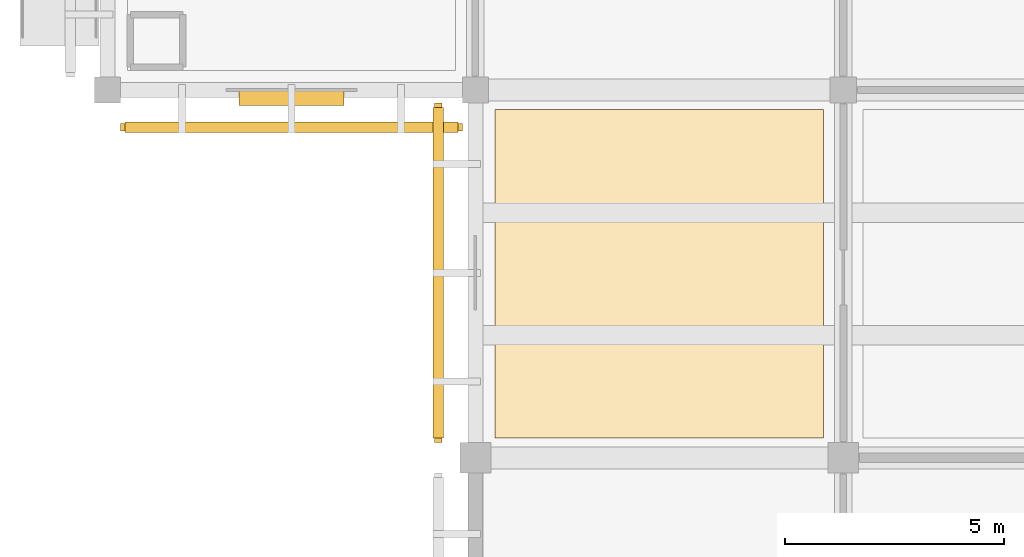
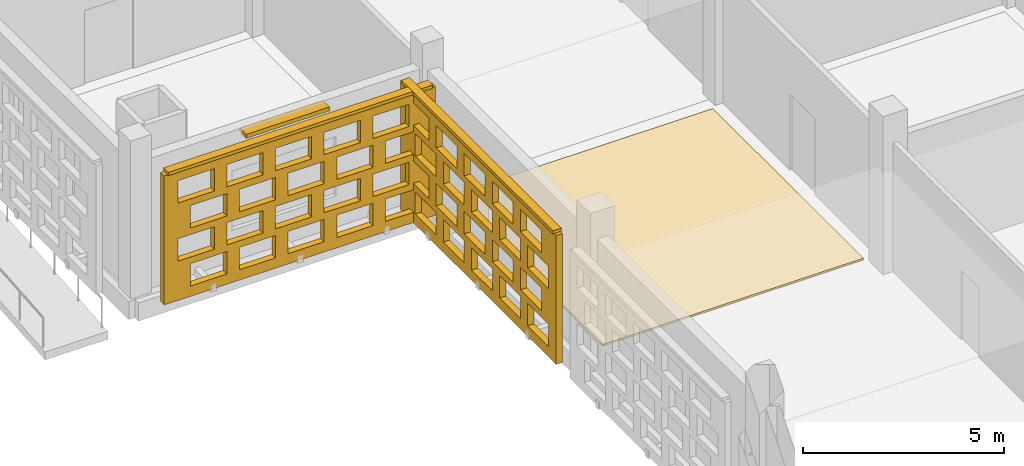
# One storey, part 85 of 129: 3 coverings, 3 shading devices, 40 openings.
"""IFC4 building model written with IfcOpenShell, lengths in metres."""

from ifc_helpers import new_model, si_unit, direction, frame, frame_2d, origin, origin_2d, place, context, subcontext, project, spatial, rectangle, extrude, material, layer, layer_set, type_object, element, save


model = new_model("IFC4")

# Units and contexts
model_context = context("Model", 3, precision=1e-05, world=origin(), true_north=direction((0.0, 1.0)))
body_context = subcontext(model_context, "Body", "Model", "MODEL_VIEW")
ifc_project = project(units=[si_unit("LENGTHUNIT", "METRE"), si_unit("AREAUNIT", "SQUARE_METRE"), si_unit("VOLUMEUNIT", "CUBIC_METRE"), si_unit("PLANEANGLEUNIT", "RADIAN"), si_unit("MASSUNIT", "GRAM", prefix="KILO")], contexts=[model_context])

# Site, building, storey
site_placement = place(None, origin())
site = spatial("IfcSite", under=ifc_project, at=site_placement, CompositionType="ELEMENT")
building_placement = place(site_placement, origin())
building = spatial("IfcBuilding", under=site, at=building_placement, Name="Varnapada Polytechnic", CompositionType="ELEMENT")
storey_placement = place(building_placement, origin())
storey = spatial("IfcBuildingStorey", under=building, at=storey_placement, Name="L00", CompositionType="ELEMENT", Elevation=0.0)

# Covering
ifc_material_1 = material(Name="End-Grain Timber Studio Block Flooring", Category="wood")
ifc_layer_1 = layer(ifc_material_1, 0.054931640625)
ifc_layer_set_1 = layer_set([ifc_layer_1], Name="End-Grain Timber Studio Block Flooring")
covering_type_1 = type_object("IfcCoveringType", Name="Floor Finish FLR-04", PredefinedType="FLOORING", material=ifc_layer_set_1)
covering_1_placement = place(storey_placement, frame((12.60009765625, 37.800048828125, 0.0), z_axis=(0.0, 0.0, 1.0), x_axis=(1.0, 0.0, 0.0)))
element("IfcCovering", 1, at=covering_1_placement, inside=storey, type_object=covering_type_1, Name="L00 floor finish panel (2,5)", PredefinedType="FLOORING", context=body_context, shape_type="SweptSolid", body=[
    extrude(rectangle(XDim=7.5, YDim=7.5, at=origin_2d()), origin(), (0.0, 0.0, 1.0), 0.054931640625),
])

# Shading device
ifc_material_2 = material(Name="Anodised aluminium", Category="aluminium")
ifc_layer_2 = layer(ifc_material_2, 0.35009765625)
ifc_layer_set_2 = layer_set([ifc_layer_2], Name="Anodised aluminium")
shading_device_type_1 = type_object("IfcShadingDeviceType", Name="Solar Louvre LVR-01", PredefinedType="JALOUSIE", material=ifc_layer_set_2)
shading_device_1_placement = place(storey_placement, frame((4.199951171875, 41.820068359375, 3.760009765625), z_axis=(0.0, 0.0, 1.0), x_axis=(-1.0, 0.0, 0.0)))
element("IfcShadingDevice", 2, at=shading_device_1_placement, inside=storey, type_object=shading_device_type_1, Name="L00 aluminium sun louvre 1", PredefinedType="JALOUSIE", context=body_context, shape_type="SweptSolid", body=[
    extrude(rectangle(XDim=2.39990234375, YDim=0.340087890625, at=origin_2d()), origin(), (0.0, 0.0, 1.0), 0.1201171875),
])

# Covering, openings
ifc_material_3 = material(Name="Earth-toned architectural terracotta screen block", Category="masonry")
ifc_layer_3 = layer(ifc_material_3, 0.1201171875)
ifc_layer_set_3 = layer_set([ifc_layer_3], Name="Earth-toned architectural terracotta screen block")
covering_type_2 = type_object("IfcCoveringType", Name="Terracotta Screen Cladding CLD-01", PredefinedType="CLADDING", material=ifc_layer_set_3)
covering_2_placement = place(storey_placement, frame((8.10009765625, 41.14990234375, 0.0), z_axis=(0.0, 0.0, 1.0), x_axis=(-1.0, 0.0, 0.0)))
covering_2 = element("IfcCovering", 3, at=covering_2_placement, inside=storey, type_object=covering_type_2, Name="L00 perforated terracotta block screen (1)", PredefinedType="CLADDING", context=body_context, shape_type="SweptSolid", body=[
    extrude(rectangle(XDim=7.800048828125, YDim=0.179931640625, at=frame_2d((3.89990234375, 0.0))), origin(), (0.0, 0.0, 1.0), 3.919921875),
])
opening_1_placement = place(covering_2_placement, frame((0.39990234375, 0.0, 0.313720703125)))
element("IfcOpeningElement", 4, at=opening_1_placement, cuts=covering_2, Name="Screen perforation TBS-L00-000.1", PredefinedType="OPENING", context=body_context, shape_type="SweptSolid", body=[
    extrude(rectangle(XDim=1.0400390625, YDim=0.679931640625, at=frame_2d((0.52001953125, 0.33984375))), frame((0.0, 0.099853515625, 0.0), z_axis=(0.0, -1.0, 0.0), x_axis=(1.0, 0.0, 0.0)), (0.0, 0.0, 1.0), 0.199951171875),
])
opening_2_placement = place(covering_2_placement, frame((1.800048828125, 0.0, 0.313720703125)))
element("IfcOpeningElement", 5, at=opening_2_placement, cuts=covering_2, Name="Screen perforation TBS-L00-000.2", PredefinedType="OPENING", context=body_context, shape_type="SweptSolid", body=[
    extrude(rectangle(XDim=1.0400390625, YDim=0.679931640625, at=frame_2d((0.52001953125, 0.33984375))), frame((0.0, 0.099853515625, 0.0), z_axis=(0.0, -1.0, 0.0), x_axis=(1.0, 0.0, 0.0)), (0.0, 0.0, 1.0), 0.199951171875),
])
opening_3_placement = place(covering_2_placement, frame((3.199951171875, 0.0, 0.313720703125)))
element("IfcOpeningElement", 6, at=opening_3_placement, cuts=covering_2, Name="Screen perforation TBS-L00-000.3", PredefinedType="OPENING", context=body_context, shape_type="SweptSolid", body=[
    extrude(rectangle(XDim=1.0400390625, YDim=0.679931640625, at=frame_2d((0.52001953125, 0.33984375))), frame((0.0, 0.099853515625, 0.0), z_axis=(0.0, -1.0, 0.0), x_axis=(1.0, 0.0, 0.0)), (0.0, 0.0, 1.0), 0.199951171875),
])
opening_4_placement = place(covering_2_placement, frame((4.60009765625, 0.0, 0.313720703125)))
element("IfcOpeningElement", 7, at=opening_4_placement, cuts=covering_2, Name="Screen perforation TBS-L00-000.4", PredefinedType="OPENING", context=body_context, shape_type="SweptSolid", body=[
    extrude(rectangle(XDim=1.0400390625, YDim=0.679931640625, at=frame_2d((0.52001953125, 0.33984375))), frame((0.0, 0.099853515625, 0.0), z_axis=(0.0, -1.0, 0.0), x_axis=(1.0, 0.0, 0.0)), (0.0, 0.0, 1.0), 0.199951171875),
])
opening_5_placement = place(covering_2_placement, frame((6.0, 0.0, 0.313720703125)))
element("IfcOpeningElement", 8, at=opening_5_placement, cuts=covering_2, Name="Screen perforation TBS-L00-000.5", PredefinedType="OPENING", context=body_context, shape_type="SweptSolid", body=[
    extrude(rectangle(XDim=1.0400390625, YDim=0.679931640625, at=frame_2d((0.52001953125, 0.33984375))), frame((0.0, 0.099853515625, 0.0), z_axis=(0.0, -1.0, 0.0), x_axis=(1.0, 0.0, 0.0)), (0.0, 0.0, 1.0), 0.199951171875),
])
opening_6_placement = place(covering_2_placement, frame((0.760009765625, 0.0, 1.195556640625)))
element("IfcOpeningElement", 9, at=opening_6_placement, cuts=covering_2, Name="Screen perforation TBS-L00-000.6", PredefinedType="OPENING", context=body_context, shape_type="SweptSolid", body=[
    extrude(rectangle(XDim=1.0400390625, YDim=0.679931640625, at=frame_2d((0.52001953125, 0.33984375))), frame((0.0, 0.099853515625, 0.0), z_axis=(0.0, -1.0, 0.0), x_axis=(1.0, 0.0, 0.0)), (0.0, 0.0, 1.0), 0.199951171875),
])
opening_7_placement = place(covering_2_placement, frame((2.159912109375, 0.0, 1.195556640625)))
element("IfcOpeningElement", 10, at=opening_7_placement, cuts=covering_2, Name="Screen perforation TBS-L00-000.7", PredefinedType="OPENING", context=body_context, shape_type="SweptSolid", body=[
    extrude(rectangle(XDim=1.0400390625, YDim=0.679931640625, at=frame_2d((0.52001953125, 0.33984375))), frame((0.0, 0.099853515625, 0.0), z_axis=(0.0, -1.0, 0.0), x_axis=(1.0, 0.0, 0.0)), (0.0, 0.0, 1.0), 0.199951171875),
])
opening_8_placement = place(covering_2_placement, frame((3.56005859375, 0.0, 1.195556640625)))
element("IfcOpeningElement", 11, at=opening_8_placement, cuts=covering_2, Name="Screen perforation TBS-L00-000.8", PredefinedType="OPENING", context=body_context, shape_type="SweptSolid", body=[
    extrude(rectangle(XDim=1.0400390625, YDim=0.679931640625, at=frame_2d((0.52001953125, 0.33984375))), frame((0.0, 0.099853515625, 0.0), z_axis=(0.0, -1.0, 0.0), x_axis=(1.0, 0.0, 0.0)), (0.0, 0.0, 1.0), 0.199951171875),
])
opening_9_placement = place(covering_2_placement, frame((4.9599609375, 0.0, 1.195556640625)))
element("IfcOpeningElement", 12, at=opening_9_placement, cuts=covering_2, Name="Screen perforation TBS-L00-000.9", PredefinedType="OPENING", context=body_context, shape_type="SweptSolid", body=[
    extrude(rectangle(XDim=1.0400390625, YDim=0.679931640625, at=frame_2d((0.52001953125, 0.33984375))), frame((0.0, 0.099853515625, 0.0), z_axis=(0.0, -1.0, 0.0), x_axis=(1.0, 0.0, 0.0)), (0.0, 0.0, 1.0), 0.199951171875),
])
opening_10_placement = place(covering_2_placement, frame((6.360107421875, 0.0, 1.195556640625)))
element("IfcOpeningElement", 13, at=opening_10_placement, cuts=covering_2, Name="Screen perforation TBS-L00-000.10", PredefinedType="OPENING", context=body_context, shape_type="SweptSolid", body=[
    extrude(rectangle(XDim=1.0400390625, YDim=0.679931640625, at=frame_2d((0.52001953125, 0.33984375))), frame((0.0, 0.099853515625, 0.0), z_axis=(0.0, -1.0, 0.0), x_axis=(1.0, 0.0, 0.0)), (0.0, 0.0, 1.0), 0.199951171875),
])
opening_11_placement = place(covering_2_placement, frame((0.39990234375, 0.0, 2.07763671875)))
element("IfcOpeningElement", 14, at=opening_11_placement, cuts=covering_2, Name="Screen perforation TBS-L00-000.11", PredefinedType="OPENING", context=body_context, shape_type="SweptSolid", body=[
    extrude(rectangle(XDim=1.0400390625, YDim=0.679931640625, at=frame_2d((0.52001953125, 0.33984375))), frame((0.0, 0.099853515625, 0.0), z_axis=(0.0, -1.0, 0.0), x_axis=(1.0, 0.0, 0.0)), (0.0, 0.0, 1.0), 0.199951171875),
])
opening_12_placement = place(covering_2_placement, frame((1.800048828125, 0.0, 2.07763671875)))
element("IfcOpeningElement", 15, at=opening_12_placement, cuts=covering_2, Name="Screen perforation TBS-L00-000.12", PredefinedType="OPENING", context=body_context, shape_type="SweptSolid", body=[
    extrude(rectangle(XDim=1.0400390625, YDim=0.679931640625, at=frame_2d((0.52001953125, 0.33984375))), frame((0.0, 0.099853515625, 0.0), z_axis=(0.0, -1.0, 0.0), x_axis=(1.0, 0.0, 0.0)), (0.0, 0.0, 1.0), 0.199951171875),
])
opening_13_placement = place(covering_2_placement, frame((3.199951171875, 0.0, 2.07763671875)))
element("IfcOpeningElement", 16, at=opening_13_placement, cuts=covering_2, Name="Screen perforation TBS-L00-000.13", PredefinedType="OPENING", context=body_context, shape_type="SweptSolid", body=[
    extrude(rectangle(XDim=1.0400390625, YDim=0.679931640625, at=frame_2d((0.52001953125, 0.33984375))), frame((0.0, 0.099853515625, 0.0), z_axis=(0.0, -1.0, 0.0), x_axis=(1.0, 0.0, 0.0)), (0.0, 0.0, 1.0), 0.199951171875),
])
opening_14_placement = place(covering_2_placement, frame((4.60009765625, 0.0, 2.07763671875)))
element("IfcOpeningElement", 17, at=opening_14_placement, cuts=covering_2, Name="Screen perforation TBS-L00-000.14", PredefinedType="OPENING", context=body_context, shape_type="SweptSolid", body=[
    extrude(rectangle(XDim=1.0400390625, YDim=0.679931640625, at=frame_2d((0.52001953125, 0.33984375))), frame((0.0, 0.099853515625, 0.0), z_axis=(0.0, -1.0, 0.0), x_axis=(1.0, 0.0, 0.0)), (0.0, 0.0, 1.0), 0.199951171875),
])
opening_15_placement = place(covering_2_placement, frame((6.0, 0.0, 2.07763671875)))
element("IfcOpeningElement", 18, at=opening_15_placement, cuts=covering_2, Name="Screen perforation TBS-L00-000.15", PredefinedType="OPENING", context=body_context, shape_type="SweptSolid", body=[
    extrude(rectangle(XDim=1.0400390625, YDim=0.679931640625, at=frame_2d((0.52001953125, 0.33984375))), frame((0.0, 0.099853515625, 0.0), z_axis=(0.0, -1.0, 0.0), x_axis=(1.0, 0.0, 0.0)), (0.0, 0.0, 1.0), 0.199951171875),
])
opening_16_placement = place(covering_2_placement, frame((0.760009765625, 0.0, 2.959716796875)))
element("IfcOpeningElement", 19, at=opening_16_placement, cuts=covering_2, Name="Screen perforation TBS-L00-000.16", PredefinedType="OPENING", context=body_context, shape_type="SweptSolid", body=[
    extrude(rectangle(XDim=1.0400390625, YDim=0.679931640625, at=frame_2d((0.52001953125, 0.33984375))), frame((0.0, 0.099853515625, 0.0), z_axis=(0.0, -1.0, 0.0), x_axis=(1.0, 0.0, 0.0)), (0.0, 0.0, 1.0), 0.199951171875),
])
opening_17_placement = place(covering_2_placement, frame((2.159912109375, 0.0, 2.959716796875)))
element("IfcOpeningElement", 20, at=opening_17_placement, cuts=covering_2, Name="Screen perforation TBS-L00-000.17", PredefinedType="OPENING", context=body_context, shape_type="SweptSolid", body=[
    extrude(rectangle(XDim=1.0400390625, YDim=0.679931640625, at=frame_2d((0.52001953125, 0.33984375))), frame((0.0, 0.099853515625, 0.0), z_axis=(0.0, -1.0, 0.0), x_axis=(1.0, 0.0, 0.0)), (0.0, 0.0, 1.0), 0.199951171875),
])
opening_18_placement = place(covering_2_placement, frame((3.56005859375, 0.0, 2.959716796875)))
element("IfcOpeningElement", 21, at=opening_18_placement, cuts=covering_2, Name="Screen perforation TBS-L00-000.18", PredefinedType="OPENING", context=body_context, shape_type="SweptSolid", body=[
    extrude(rectangle(XDim=1.0400390625, YDim=0.679931640625, at=frame_2d((0.52001953125, 0.33984375))), frame((0.0, 0.099853515625, 0.0), z_axis=(0.0, -1.0, 0.0), x_axis=(1.0, 0.0, 0.0)), (0.0, 0.0, 1.0), 0.199951171875),
])
opening_19_placement = place(covering_2_placement, frame((4.9599609375, 0.0, 2.959716796875)))
element("IfcOpeningElement", 22, at=opening_19_placement, cuts=covering_2, Name="Screen perforation TBS-L00-000.19", PredefinedType="OPENING", context=body_context, shape_type="SweptSolid", body=[
    extrude(rectangle(XDim=1.0400390625, YDim=0.679931640625, at=frame_2d((0.52001953125, 0.33984375))), frame((0.0, 0.099853515625, 0.0), z_axis=(0.0, -1.0, 0.0), x_axis=(1.0, 0.0, 0.0)), (0.0, 0.0, 1.0), 0.199951171875),
])
opening_20_placement = place(covering_2_placement, frame((6.360107421875, 0.0, 2.959716796875)))
element("IfcOpeningElement", 23, at=opening_20_placement, cuts=covering_2, Name="Screen perforation TBS-L00-000.20", PredefinedType="OPENING", context=body_context, shape_type="SweptSolid", body=[
    extrude(rectangle(XDim=1.0400390625, YDim=0.679931640625, at=frame_2d((0.52001953125, 0.33984375))), frame((0.0, 0.099853515625, 0.0), z_axis=(0.0, -1.0, 0.0), x_axis=(1.0, 0.0, 0.0)), (0.0, 0.0, 1.0), 0.199951171875),
])

covering_3_placement = place(storey_placement, frame((7.550048828125, 33.949951171875, 0.0), z_axis=(0.0, 0.0, 1.0), x_axis=(0.0, 1.0, 0.0)))
covering_3 = element("IfcCovering", 24, at=covering_3_placement, inside=storey, type_object=covering_type_2, Name="L00 perforated terracotta block screen (18)", PredefinedType="CLADDING", context=body_context, shape_type="SweptSolid", body=[
    extrude(rectangle(XDim=7.75, YDim=0.179931640625, at=frame_2d((3.875, 0.0))), origin(), (0.0, 0.0, 1.0), 3.919921875),
])
opening_21_placement = place(covering_3_placement, frame((0.375, 0.0, 0.313720703125)))
element("IfcOpeningElement", 25, at=opening_21_placement, cuts=covering_3, Name="Screen perforation TBS-L00-017.1", PredefinedType="OPENING", context=body_context, shape_type="SweptSolid", body=[
    extrude(rectangle(XDim=1.0400390625, YDim=0.679931640625, at=frame_2d((0.52001953125, 0.33984375))), frame((0.0, 0.099853515625, 0.0), z_axis=(0.0, -1.0, 0.0), x_axis=(1.0, 0.0, 0.0)), (0.0, 0.0, 1.0), 0.199951171875),
])
opening_22_placement = place(covering_3_placement, frame((1.77490234375, 0.0, 0.313720703125)))
element("IfcOpeningElement", 26, at=opening_22_placement, cuts=covering_3, Name="Screen perforation TBS-L00-017.2", PredefinedType="OPENING", context=body_context, shape_type="SweptSolid", body=[
    extrude(rectangle(XDim=1.0400390625, YDim=0.679931640625, at=frame_2d((0.52001953125, 0.33984375))), frame((0.0, 0.099853515625, 0.0), z_axis=(0.0, -1.0, 0.0), x_axis=(1.0, 0.0, 0.0)), (0.0, 0.0, 1.0), 0.199951171875),
])
opening_23_placement = place(covering_3_placement, frame((3.175048828125, 0.0, 0.313720703125)))
element("IfcOpeningElement", 27, at=opening_23_placement, cuts=covering_3, Name="Screen perforation TBS-L00-017.3", PredefinedType="OPENING", context=body_context, shape_type="SweptSolid", body=[
    extrude(rectangle(XDim=1.0400390625, YDim=0.679931640625, at=frame_2d((0.52001953125, 0.33984375))), frame((0.0, 0.099853515625, 0.0), z_axis=(0.0, -1.0, 0.0), x_axis=(1.0, 0.0, 0.0)), (0.0, 0.0, 1.0), 0.199951171875),
])
opening_24_placement = place(covering_3_placement, frame((4.574951171875, 0.0, 0.313720703125)))
element("IfcOpeningElement", 28, at=opening_24_placement, cuts=covering_3, Name="Screen perforation TBS-L00-017.4", PredefinedType="OPENING", context=body_context, shape_type="SweptSolid", body=[
    extrude(rectangle(XDim=1.0400390625, YDim=0.679931640625, at=frame_2d((0.52001953125, 0.33984375))), frame((0.0, 0.099853515625, 0.0), z_axis=(0.0, -1.0, 0.0), x_axis=(1.0, 0.0, 0.0)), (0.0, 0.0, 1.0), 0.199951171875),
])
opening_25_placement = place(covering_3_placement, frame((5.97509765625, 0.0, 0.313720703125)))
element("IfcOpeningElement", 29, at=opening_25_placement, cuts=covering_3, Name="Screen perforation TBS-L00-017.5", PredefinedType="OPENING", context=body_context, shape_type="SweptSolid", body=[
    extrude(rectangle(XDim=1.0400390625, YDim=0.679931640625, at=frame_2d((0.52001953125, 0.33984375))), frame((0.0, 0.099853515625, 0.0), z_axis=(0.0, -1.0, 0.0), x_axis=(1.0, 0.0, 0.0)), (0.0, 0.0, 1.0), 0.199951171875),
])
opening_26_placement = place(covering_3_placement, frame((0.735107421875, 0.0, 1.195556640625)))
element("IfcOpeningElement", 30, at=opening_26_placement, cuts=covering_3, Name="Screen perforation TBS-L00-017.6", PredefinedType="OPENING", context=body_context, shape_type="SweptSolid", body=[
    extrude(rectangle(XDim=1.0400390625, YDim=0.679931640625, at=frame_2d((0.52001953125, 0.33984375))), frame((0.0, 0.099853515625, 0.0), z_axis=(0.0, -1.0, 0.0), x_axis=(1.0, 0.0, 0.0)), (0.0, 0.0, 1.0), 0.199951171875),
])
opening_27_placement = place(covering_3_placement, frame((2.135009765625, 0.0, 1.195556640625)))
element("IfcOpeningElement", 31, at=opening_27_placement, cuts=covering_3, Name="Screen perforation TBS-L00-017.7", PredefinedType="OPENING", context=body_context, shape_type="SweptSolid", body=[
    extrude(rectangle(XDim=1.0400390625, YDim=0.679931640625, at=frame_2d((0.52001953125, 0.33984375))), frame((0.0, 0.099853515625, 0.0), z_axis=(0.0, -1.0, 0.0), x_axis=(1.0, 0.0, 0.0)), (0.0, 0.0, 1.0), 0.199951171875),
])
opening_28_placement = place(covering_3_placement, frame((3.534912109375, 0.0, 1.195556640625)))
element("IfcOpeningElement", 32, at=opening_28_placement, cuts=covering_3, Name="Screen perforation TBS-L00-017.8", PredefinedType="OPENING", context=body_context, shape_type="SweptSolid", body=[
    extrude(rectangle(XDim=1.0400390625, YDim=0.679931640625, at=frame_2d((0.52001953125, 0.33984375))), frame((0.0, 0.099853515625, 0.0), z_axis=(0.0, -1.0, 0.0), x_axis=(1.0, 0.0, 0.0)), (0.0, 0.0, 1.0), 0.199951171875),
])
opening_29_placement = place(covering_3_placement, frame((4.93505859375, 0.0, 1.195556640625)))
element("IfcOpeningElement", 33, at=opening_29_placement, cuts=covering_3, Name="Screen perforation TBS-L00-017.9", PredefinedType="OPENING", context=body_context, shape_type="SweptSolid", body=[
    extrude(rectangle(XDim=1.0400390625, YDim=0.679931640625, at=frame_2d((0.52001953125, 0.33984375))), frame((0.0, 0.099853515625, 0.0), z_axis=(0.0, -1.0, 0.0), x_axis=(1.0, 0.0, 0.0)), (0.0, 0.0, 1.0), 0.199951171875),
])
opening_30_placement = place(covering_3_placement, frame((6.3349609375, 0.0, 1.195556640625)))
element("IfcOpeningElement", 34, at=opening_30_placement, cuts=covering_3, Name="Screen perforation TBS-L00-017.10", PredefinedType="OPENING", context=body_context, shape_type="SweptSolid", body=[
    extrude(rectangle(XDim=1.0400390625, YDim=0.679931640625, at=frame_2d((0.52001953125, 0.33984375))), frame((0.0, 0.099853515625, 0.0), z_axis=(0.0, -1.0, 0.0), x_axis=(1.0, 0.0, 0.0)), (0.0, 0.0, 1.0), 0.199951171875),
])
opening_31_placement = place(covering_3_placement, frame((0.375, 0.0, 2.07763671875)))
element("IfcOpeningElement", 35, at=opening_31_placement, cuts=covering_3, Name="Screen perforation TBS-L00-017.11", PredefinedType="OPENING", context=body_context, shape_type="SweptSolid", body=[
    extrude(rectangle(XDim=1.0400390625, YDim=0.679931640625, at=frame_2d((0.52001953125, 0.33984375))), frame((0.0, 0.099853515625, 0.0), z_axis=(0.0, -1.0, 0.0), x_axis=(1.0, 0.0, 0.0)), (0.0, 0.0, 1.0), 0.199951171875),
])
opening_32_placement = place(covering_3_placement, frame((1.77490234375, 0.0, 2.07763671875)))
element("IfcOpeningElement", 36, at=opening_32_placement, cuts=covering_3, Name="Screen perforation TBS-L00-017.12", PredefinedType="OPENING", context=body_context, shape_type="SweptSolid", body=[
    extrude(rectangle(XDim=1.0400390625, YDim=0.679931640625, at=frame_2d((0.52001953125, 0.33984375))), frame((0.0, 0.099853515625, 0.0), z_axis=(0.0, -1.0, 0.0), x_axis=(1.0, 0.0, 0.0)), (0.0, 0.0, 1.0), 0.199951171875),
])
opening_33_placement = place(covering_3_placement, frame((3.175048828125, 0.0, 2.07763671875)))
element("IfcOpeningElement", 37, at=opening_33_placement, cuts=covering_3, Name="Screen perforation TBS-L00-017.13", PredefinedType="OPENING", context=body_context, shape_type="SweptSolid", body=[
    extrude(rectangle(XDim=1.0400390625, YDim=0.679931640625, at=frame_2d((0.52001953125, 0.33984375))), frame((0.0, 0.099853515625, 0.0), z_axis=(0.0, -1.0, 0.0), x_axis=(1.0, 0.0, 0.0)), (0.0, 0.0, 1.0), 0.199951171875),
])
opening_34_placement = place(covering_3_placement, frame((4.574951171875, 0.0, 2.07763671875)))
element("IfcOpeningElement", 38, at=opening_34_placement, cuts=covering_3, Name="Screen perforation TBS-L00-017.14", PredefinedType="OPENING", context=body_context, shape_type="SweptSolid", body=[
    extrude(rectangle(XDim=1.0400390625, YDim=0.679931640625, at=frame_2d((0.52001953125, 0.33984375))), frame((0.0, 0.099853515625, 0.0), z_axis=(0.0, -1.0, 0.0), x_axis=(1.0, 0.0, 0.0)), (0.0, 0.0, 1.0), 0.199951171875),
])
opening_35_placement = place(covering_3_placement, frame((5.97509765625, 0.0, 2.07763671875)))
element("IfcOpeningElement", 39, at=opening_35_placement, cuts=covering_3, Name="Screen perforation TBS-L00-017.15", PredefinedType="OPENING", context=body_context, shape_type="SweptSolid", body=[
    extrude(rectangle(XDim=1.0400390625, YDim=0.679931640625, at=frame_2d((0.52001953125, 0.33984375))), frame((0.0, 0.099853515625, 0.0), z_axis=(0.0, -1.0, 0.0), x_axis=(1.0, 0.0, 0.0)), (0.0, 0.0, 1.0), 0.199951171875),
])
opening_36_placement = place(covering_3_placement, frame((0.735107421875, 0.0, 2.959716796875)))
element("IfcOpeningElement", 40, at=opening_36_placement, cuts=covering_3, Name="Screen perforation TBS-L00-017.16", PredefinedType="OPENING", context=body_context, shape_type="SweptSolid", body=[
    extrude(rectangle(XDim=1.0400390625, YDim=0.679931640625, at=frame_2d((0.52001953125, 0.33984375))), frame((0.0, 0.099853515625, 0.0), z_axis=(0.0, -1.0, 0.0), x_axis=(1.0, 0.0, 0.0)), (0.0, 0.0, 1.0), 0.199951171875),
])
opening_37_placement = place(covering_3_placement, frame((2.135009765625, 0.0, 2.959716796875)))
element("IfcOpeningElement", 41, at=opening_37_placement, cuts=covering_3, Name="Screen perforation TBS-L00-017.17", PredefinedType="OPENING", context=body_context, shape_type="SweptSolid", body=[
    extrude(rectangle(XDim=1.0400390625, YDim=0.679931640625, at=frame_2d((0.52001953125, 0.33984375))), frame((0.0, 0.099853515625, 0.0), z_axis=(0.0, -1.0, 0.0), x_axis=(1.0, 0.0, 0.0)), (0.0, 0.0, 1.0), 0.199951171875),
])
opening_38_placement = place(covering_3_placement, frame((3.534912109375, 0.0, 2.959716796875)))
element("IfcOpeningElement", 42, at=opening_38_placement, cuts=covering_3, Name="Screen perforation TBS-L00-017.18", PredefinedType="OPENING", context=body_context, shape_type="SweptSolid", body=[
    extrude(rectangle(XDim=1.0400390625, YDim=0.679931640625, at=frame_2d((0.52001953125, 0.33984375))), frame((0.0, 0.099853515625, 0.0), z_axis=(0.0, -1.0, 0.0), x_axis=(1.0, 0.0, 0.0)), (0.0, 0.0, 1.0), 0.199951171875),
])
opening_39_placement = place(covering_3_placement, frame((4.93505859375, 0.0, 2.959716796875)))
element("IfcOpeningElement", 43, at=opening_39_placement, cuts=covering_3, Name="Screen perforation TBS-L00-017.19", PredefinedType="OPENING", context=body_context, shape_type="SweptSolid", body=[
    extrude(rectangle(XDim=1.0400390625, YDim=0.679931640625, at=frame_2d((0.52001953125, 0.33984375))), frame((0.0, 0.099853515625, 0.0), z_axis=(0.0, -1.0, 0.0), x_axis=(1.0, 0.0, 0.0)), (0.0, 0.0, 1.0), 0.199951171875),
])
opening_40_placement = place(covering_3_placement, frame((6.3349609375, 0.0, 2.959716796875)))
element("IfcOpeningElement", 44, at=opening_40_placement, cuts=covering_3, Name="Screen perforation TBS-L00-017.20", PredefinedType="OPENING", context=body_context, shape_type="SweptSolid", body=[
    extrude(rectangle(XDim=1.0400390625, YDim=0.679931640625, at=frame_2d((0.52001953125, 0.33984375))), frame((0.0, 0.099853515625, 0.0), z_axis=(0.0, -1.0, 0.0), x_axis=(1.0, 0.0, 0.0)), (0.0, 0.0, 1.0), 0.199951171875),
])

# Shading devices
ifc_layer_4 = layer(ifc_material_3, 0.179931640625)
ifc_layer_set_4 = layer_set([ifc_layer_4], Name="Earth-toned architectural terracotta screen block")
shading_device_type_2 = type_object("IfcShadingDeviceType", Name="Terracotta Screen SCR-02", PredefinedType="USERDEFINED", material=ifc_layer_set_4)
shading_device_2_placement = place(storey_placement, frame((4.199951171875, 41.14990234375, 3.909912109375), z_axis=(0.0, 0.0, 1.0), x_axis=(-1.0, 0.0, 0.0)))
element("IfcShadingDevice", 45, at=shading_device_2_placement, inside=storey, type_object=shading_device_type_2, Name="L00 perforated terracotta screen hood 1", ObjectType="SCREEN", PredefinedType="USERDEFINED", context=body_context, shape_type="SweptSolid", body=[
    extrude(rectangle(XDim=7.60009765625, YDim=0.239990234375, at=origin_2d()), origin(), (0.0, 0.0, 1.0), 0.10009765625),
])
shading_device_3_placement = place(storey_placement, frame((7.550048828125, 37.824951171875, 3.909912109375), z_axis=(0.0, 0.0, 1.0), x_axis=(0.0, 1.0, 0.0)))
element("IfcShadingDevice", 46, at=shading_device_3_placement, inside=storey, type_object=shading_device_type_2, Name="L00 perforated terracotta screen hood 14", ObjectType="SCREEN", PredefinedType="USERDEFINED", context=body_context, shape_type="SweptSolid", body=[
    extrude(rectangle(XDim=7.550048828125, YDim=0.239990234375, at=origin_2d()), origin(), (0.0, 0.0, 1.0), 0.10009765625),
])

save(model, "model.ifc")
